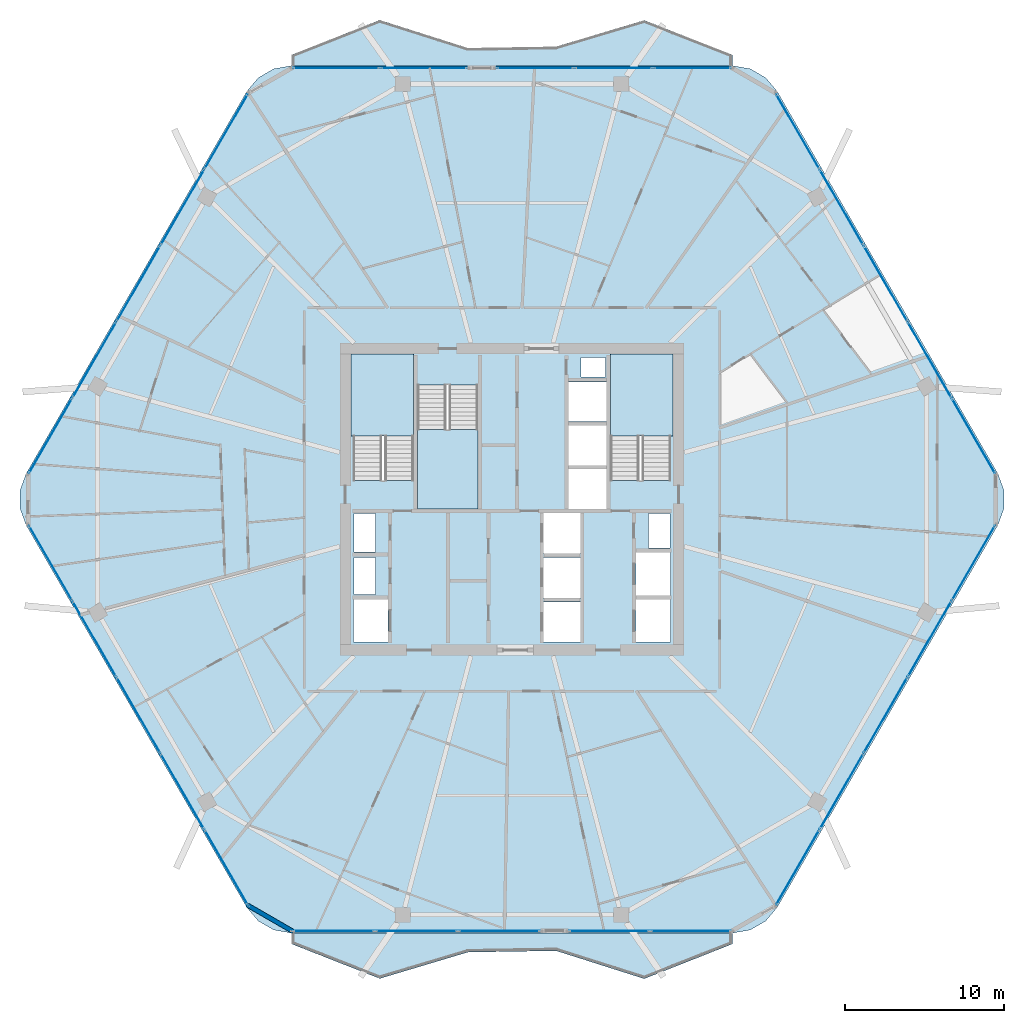
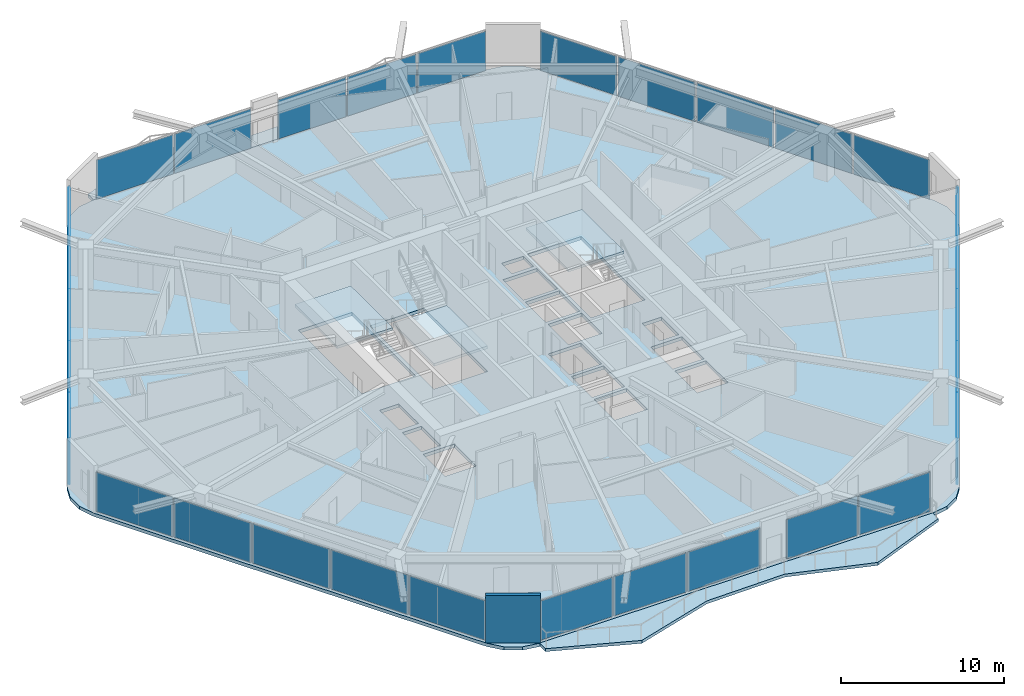
# One storey, part 18 of 27: 30 plates, 6 slabs, 1 wall, 11 elements without a shape of their own.
"""IFC4 building model written with IfcOpenShell, lengths in metres."""

from ifc_helpers import new_model, si_unit, direction, frame, frame_2d, origin, origin_2d, place, context, subcontext, project, spatial, polyline, rectangle, outline, extrude, material, layer, layer_set, type_object, element, aggregate, save


model = new_model("IFC4")

# Units and contexts
model_context = context("Model", 3, precision=1e-05, world=origin(), true_north=direction((0.0, 1.0)))
body_context = subcontext(model_context, "Body", "Model", "MODEL_VIEW")
ifc_project = project(units=[si_unit("LENGTHUNIT", "METRE"), si_unit("AREAUNIT", "SQUARE_METRE"), si_unit("VOLUMEUNIT", "CUBIC_METRE"), si_unit("PLANEANGLEUNIT", "RADIAN"), si_unit("MASSUNIT", "GRAM", prefix="KILO")], contexts=[model_context])

# Site, building, storey
site_placement = place(None, origin())
site = spatial("IfcSite", under=ifc_project, at=site_placement, CompositionType="ELEMENT")
building_placement = place(site_placement, origin())
building = spatial("IfcBuilding", under=site, at=building_placement, Name="Zuhravey Tower", CompositionType="ELEMENT")
storey_placement = place(building_placement, frame((0.0, 0.0, 218.800048828125)))
storey = spatial("IfcBuildingStorey", under=building, at=storey_placement, Name="L55", CompositionType="ELEMENT", Elevation=218.800048828125)

# Slabs
ifc_material_1 = material(Name="Concrete C50/60", Category="concrete")
ifc_layer_1 = layer(ifc_material_1, 0.25)
ifc_layer_set_1 = layer_set([ifc_layer_1], Name="Concrete C50/60")
slab_type_1 = type_object("IfcSlabType", Name="Residential Acoustic Slab 250", PredefinedType="FLOOR", material=ifc_layer_set_1)
slab_1_placement = place(storey_placement, frame((0.0, 0.0, -0.25)))
element("IfcSlab", 1, at=slab_1_placement, inside=storey, type_object=slab_type_1, Name="L55 Floor Slab FS25", PredefinedType="FLOOR", context=body_context, shape_type="SweptSolid", body=[
    extrude(outline(polyline([(66.61181640625, 30.375), (66.997802734375, 31.435546875), (66.997802734375, 32.564453125), (66.61181640625, 33.625), (52.713134765625, 57.697998046875), (51.98779296875, 58.562744140625), (51.01025390625, 59.127197265625), (49.898681640625, 59.322998046875), (22.101318359375, 59.322998046875), (20.98974609375, 59.127197265625), (20.01220703125, 58.562744140625), (19.286865234375, 57.697998046875), (5.38818359375, 33.625), (5.002197265625, 32.564453125), (5.002197265625, 31.435546875), (5.38818359375, 30.375), (19.286865234375, 6.302001953125), (20.01220703125, 5.437255859375), (20.98974609375, 4.872802734375), (22.101318359375, 4.677001953125), (49.898681640625, 4.677001953125), (51.01025390625, 4.872802734375), (51.98779296875, 5.437255859375), (52.713134765625, 6.302001953125), (66.61181640625, 30.375)]), holes=[polyline([(29.800048828125, 33.20068359375), (29.800048828125, 41.0), (26.0, 41.0), (26.0, 33.20068359375), (29.800048828125, 33.20068359375)]), polyline([(46.0, 33.20068359375), (46.0, 41.0), (42.199951171875, 41.0), (42.199951171875, 33.20068359375), (46.0, 33.20068359375)]), polyline([(30.050048828125, 39.199462890625), (30.050048828125, 31.39990234375), (33.85009765625, 31.39990234375), (33.85009765625, 39.199462890625), (30.050048828125, 39.199462890625)]), polyline([(38.0, 23.0), (40.300048828125, 23.0), (40.300048828125, 25.550048828125), (38.0, 25.550048828125), (38.0, 23.0)]), polyline([(38.0, 25.800048828125), (40.300048828125, 25.800048828125), (40.300048828125, 28.35009765625), (38.0, 28.35009765625), (38.0, 25.800048828125)]), polyline([(38.0, 28.60009765625), (40.300048828125, 28.60009765625), (40.300048828125, 31.14990234375), (38.0, 31.14990234375), (38.0, 28.60009765625)]), polyline([(39.550048828125, 31.39990234375), (41.949951171875, 31.39990234375), (41.949951171875, 33.89990234375), (39.550048828125, 33.89990234375), (39.550048828125, 31.39990234375)]), polyline([(39.550048828125, 34.14990234375), (41.949951171875, 34.14990234375), (41.949951171875, 36.64990234375), (39.550048828125, 36.64990234375), (39.550048828125, 34.14990234375)]), polyline([(39.550048828125, 36.89990234375), (41.949951171875, 36.89990234375), (41.949951171875, 39.39990234375), (39.550048828125, 39.39990234375), (39.550048828125, 36.89990234375)]), polyline([(26.0, 23.0), (28.199951171875, 23.0), (28.199951171875, 25.699951171875), (26.0, 25.699951171875), (26.0, 23.0)]), polyline([(43.800048828125, 23.0), (46.0, 23.0), (46.0, 25.699951171875), (43.800048828125, 25.699951171875), (43.800048828125, 23.0)]), polyline([(43.800048828125, 25.949951171875), (46.0, 25.949951171875), (46.0, 28.64990234375), (43.800048828125, 28.64990234375), (43.800048828125, 25.949951171875)]), polyline([(26.050048828125, 26.0), (27.39990234375, 26.0), (27.39990234375, 28.35009765625), (26.050048828125, 28.35009765625), (26.050048828125, 26.0)]), polyline([(26.050048828125, 28.699951171875), (27.39990234375, 28.699951171875), (27.39990234375, 31.10009765625), (26.050048828125, 31.10009765625), (26.050048828125, 28.699951171875)]), polyline([(44.60009765625, 28.949951171875), (45.949951171875, 28.949951171875), (45.949951171875, 31.10009765625), (44.60009765625, 31.10009765625), (44.60009765625, 28.949951171875)]), polyline([(40.35009765625, 39.699951171875), (41.89990234375, 39.699951171875), (41.89990234375, 40.949951171875), (40.35009765625, 40.949951171875), (40.35009765625, 39.699951171875)])]), origin(), (0.0, 0.0, 1.0), 0.25),
])
ifc_material_2 = material(Name="Concrete C40/50", Category="concrete")
ifc_layer_2 = layer(ifc_material_2, 0.219970703125)
ifc_layer_set_2 = layer_set([ifc_layer_2], Name="Concrete C40/50")
slab_type_2 = type_object("IfcSlabType", Name="Sinusoidal Residential Wave Balcony 220", PredefinedType="FLOOR", material=ifc_layer_set_2)
slab_2_placement = place(storey_placement, frame((0.0, 0.0, -0.219970703125)))
element("IfcSlab", 2, at=slab_2_placement, inside=storey, type_object=slab_type_2, Name="L55 Face 2 Wave Balcony WB22", PredefinedType="FLOOR", context=body_context, shape_type="SweptSolid", body=[
    extrude(outline(polyline([(49.889892578125, 59.30810546875), (22.110107421875, 59.30810546875), (22.110107421875, 60.008056640625), (27.666015625, 62.20361328125), (33.221923828125, 60.438720703125), (38.778076171875, 60.529052734375), (44.333984375, 62.190185546875), (49.889892578125, 60.008056640625), (49.889892578125, 59.30810546875)])), origin(), (0.0, 0.0, 1.0), 0.219970703125),
])
slab_3_placement = place(storey_placement, frame((0.0, 0.0, -0.219970703125)))
element("IfcSlab", 3, at=slab_3_placement, inside=storey, type_object=slab_type_2, Name="L55 Face 5 Wave Balcony WB22", PredefinedType="FLOOR", context=body_context, shape_type="SweptSolid", body=[
    extrude(outline(polyline([(22.110107421875, 4.69189453125), (49.889892578125, 4.69189453125), (49.889892578125, 3.991943359375), (44.333984375, 1.79638671875), (38.778076171875, 3.561279296875), (33.221923828125, 3.470947265625), (27.666015625, 1.809814453125), (22.110107421875, 3.991943359375), (22.110107421875, 4.69189453125)])), origin(), (0.0, 0.0, 1.0), 0.219970703125),
])

# Stair, slab
stair_type = type_object("IfcStairType", Name="Housing Storey Stair Assembly 3800", PredefinedType="HALF_TURN_STAIR", material=ifc_material_2)
stair_1_placement = place(storey_placement, origin())
stair_1 = element("IfcStair", 4, at=stair_1_placement, inside=storey, type_object=stair_type, Name="L55 Core Exit Stair ST1", PredefinedType="HALF_TURN_STAIR")
ifc_layer_3 = layer(ifc_material_2, 0.199951171875)
ifc_layer_set_3 = layer_set([ifc_layer_3], Name="Concrete C40/50")
slab_type_3 = type_object("IfcSlabType", Name="Stair Landing Slab 200", PredefinedType="LANDING", material=ifc_layer_set_3)
slab_4_placement = place(storey_placement, frame((0.0, 0.0, 1.699951171875)))
slab_4 = element("IfcSlab", 5, at=slab_4_placement, type_object=slab_type_3, Name="ST1 landing 1", PredefinedType="LANDING", context=body_context, shape_type="SweptSolid", body=[
    extrude(outline(polyline([(29.800048828125, 36.0), (29.800048828125, 41.14794921875), (25.85205078125, 41.14794921875), (25.85205078125, 36.0), (29.800048828125, 36.0)])), origin(), (0.0, 0.0, 1.0), 0.199951171875),
])
aggregate(stair_1, [slab_4])

stair_2_placement = place(storey_placement, origin())
stair_2 = element("IfcStair", 6, at=stair_2_placement, inside=storey, type_object=stair_type, Name="L55 Core Exit Stair ST2", PredefinedType="HALF_TURN_STAIR")
slab_5_placement = place(storey_placement, frame((0.0, 0.0, 1.699951171875)))
slab_5 = element("IfcSlab", 7, at=slab_5_placement, type_object=slab_type_3, Name="ST2 landing 1", PredefinedType="LANDING", context=body_context, shape_type="SweptSolid", body=[
    extrude(outline(polyline([(46.14794921875, 36.0), (46.14794921875, 41.14794921875), (42.199951171875, 41.14794921875), (42.199951171875, 36.0), (46.14794921875, 36.0)])), origin(), (0.0, 0.0, 1.0), 0.199951171875),
])
aggregate(stair_2, [slab_5])

stair_3_placement = place(storey_placement, origin())
stair_3 = element("IfcStair", 8, at=stair_3_placement, inside=storey, type_object=stair_type, Name="L55 Core Exit Stair ST3", PredefinedType="HALF_TURN_STAIR")
slab_6_placement = place(storey_placement, frame((0.0, 0.0, 1.699951171875)))
slab_6 = element("IfcSlab", 9, at=slab_6_placement, type_object=slab_type_3, Name="ST3 landing 1", PredefinedType="LANDING", context=body_context, shape_type="SweptSolid", body=[
    extrude(outline(polyline([(30.050048828125, 36.39990234375), (30.050048828125, 31.39990234375), (33.85009765625, 31.39990234375), (33.85009765625, 36.39990234375), (30.050048828125, 36.39990234375)])), origin(), (0.0, 0.0, 1.0), 0.199951171875),
])
aggregate(stair_3, [slab_6])

# Curtain wall, plates
ifc_material_3 = material(Name="Thermally broken anodised aluminium", Category="aluminium")
curtain_wall_type = type_object("IfcCurtainWallType", Name="Zone 1-2 Residential Curtain Wall CW3", PredefinedType="NOTDEFINED", material=ifc_material_3)
curtain_wall_1_placement = place(storey_placement, origin())
curtain_wall_1 = element("IfcCurtainWall", 10, at=curtain_wall_1_placement, inside=storey, type_object=curtain_wall_type, Name="L55 CW3 CW-L55-F6-1", PredefinedType="NOTDEFINED")
ifc_material_4 = material(Name="Triple low-E insulated vision glass", Category="glass")
ifc_layer_4 = layer(ifc_material_4, 0.0419921875)
ifc_layer_set_4 = layer_set([ifc_layer_4], Name="Triple low-E insulated vision glass")
plate_type = type_object("IfcPlateType", Name="Triple Low-E Vision Panel", PredefinedType="CURTAIN_PANEL", material=ifc_layer_set_4)
plate_1_placement = place(storey_placement, frame((65.074462890625, 27.9921875, 0.090087890625), z_axis=(0.0, 0.0, 1.0), x_axis=(-0.500000459979, -0.866025138215, 0.0)))
plate_1 = element("IfcPlate", 11, at=plate_1_placement, type_object=plate_type, Name="CW3 panel 1.1", PredefinedType="CURTAIN_PANEL", context=body_context, shape_type="SweptSolid", body=[
    extrude(rectangle(XDim=5.409423828125, YDim=0.0419921875, at=origin_2d()), origin(), (0.0, 0.0, 1.0), 2.94189453125),
])
plate_2_placement = place(storey_placement, frame((62.3134765625, 23.2099609375, 0.090087890625), z_axis=(0.0, 0.0, 1.0), x_axis=(-0.500000459979, -0.866025138215, 0.0)))
plate_2 = element("IfcPlate", 12, at=plate_2_placement, type_object=plate_type, Name="CW3 panel 2.1", PredefinedType="CURTAIN_PANEL", context=body_context, shape_type="SweptSolid", body=[
    extrude(rectangle(XDim=5.454345703125, YDim=0.0419921875, at=origin_2d()), origin(), (0.0, 0.0, 1.0), 2.94189453125),
])
plate_3_placement = place(storey_placement, frame((59.541259765625, 18.408447265625, 0.090087890625), z_axis=(0.0, 0.0, 1.0), x_axis=(-0.500000459979, -0.866025138215, 0.0)))
plate_3 = element("IfcPlate", 13, at=plate_3_placement, type_object=plate_type, Name="CW3 panel 3.1", PredefinedType="CURTAIN_PANEL", context=body_context, shape_type="SweptSolid", body=[
    extrude(rectangle(XDim=5.454345703125, YDim=0.0419921875, at=origin_2d()), origin(), (0.0, 0.0, 1.0), 2.94189453125),
])
plate_4_placement = place(storey_placement, frame((56.76904296875, 13.60693359375, 0.090087890625), z_axis=(0.0, 0.0, 1.0), x_axis=(-0.500000459979, -0.866025138215, 0.0)))
plate_4 = element("IfcPlate", 14, at=plate_4_placement, type_object=plate_type, Name="CW3 panel 4.1", PredefinedType="CURTAIN_PANEL", context=body_context, shape_type="SweptSolid", body=[
    extrude(rectangle(XDim=5.454345703125, YDim=0.0419921875, at=origin_2d()), origin(), (0.0, 0.0, 1.0), 2.94189453125),
])
plate_5_placement = place(storey_placement, frame((54.008056640625, 8.82470703125, 0.090087890625), z_axis=(0.0, 0.0, 1.0), x_axis=(-0.500000459979, -0.866025138215, 0.0)))
plate_5 = element("IfcPlate", 15, at=plate_5_placement, type_object=plate_type, Name="CW3 panel 5.1", PredefinedType="CURTAIN_PANEL", context=body_context, shape_type="SweptSolid", body=[
    extrude(rectangle(XDim=5.409423828125, YDim=0.0419921875, at=origin_2d()), origin(), (0.0, 0.0, 1.0), 2.94189453125),
])
aggregate(curtain_wall_1, [plate_1, plate_2, plate_3, plate_4, plate_5])

curtain_wall_2_placement = place(storey_placement, origin())
curtain_wall_2 = element("IfcCurtainWall", 16, at=curtain_wall_2_placement, inside=storey, type_object=curtain_wall_type, Name="L55 CW3 CW-L55-F5-1", PredefinedType="NOTDEFINED")
plate_6_placement = place(storey_placement, frame((47.25537109375, 4.81689453125, 0.090087890625), z_axis=(0.0, 0.0, 1.0), x_axis=(-1.0, 0.0, 0.0)))
plate_6 = element("IfcPlate", 17, at=plate_6_placement, type_object=plate_type, Name="CW3 panel 1.1", PredefinedType="CURTAIN_PANEL", context=body_context, shape_type="SweptSolid", body=[
    extrude(rectangle(XDim=5.03125, YDim=0.0419921875, at=origin_2d()), origin(), (0.0, 0.0, 1.0), 2.94189453125),
])
plate_7_placement = place(storey_placement, frame((42.13427734375, 4.81689453125, 0.090087890625), z_axis=(0.0, 0.0, 1.0), x_axis=(-1.0, 0.0, 0.0)))
plate_7 = element("IfcPlate", 18, at=plate_7_placement, type_object=plate_type, Name="CW3 panel 2.1", PredefinedType="CURTAIN_PANEL", context=body_context, shape_type="SweptSolid", body=[
    extrude(rectangle(XDim=5.03125, YDim=0.0419921875, at=origin_2d()), origin(), (0.0, 0.0, 1.0), 2.94189453125),
])
aggregate(curtain_wall_2, [plate_6, plate_7])

curtain_wall_3_placement = place(storey_placement, origin())
curtain_wall_3 = element("IfcCurtainWall", 19, at=curtain_wall_3_placement, inside=storey, type_object=curtain_wall_type, Name="L55 CW3 CW-L55-F5-2", PredefinedType="NOTDEFINED")
plate_8_placement = place(storey_placement, frame((35.191162109375, 4.81689453125, 0.090087890625), z_axis=(0.0, 0.0, 1.0), x_axis=(-1.0, 0.0, 0.0)))
plate_8 = element("IfcPlate", 20, at=plate_8_placement, type_object=plate_type, Name="CW3 panel 1.1", PredefinedType="CURTAIN_PANEL", context=body_context, shape_type="SweptSolid", body=[
    extrude(rectangle(XDim=5.094970703125, YDim=0.0419921875, at=origin_2d()), origin(), (0.0, 0.0, 1.0), 2.94189453125),
])
plate_9_placement = place(storey_placement, frame((29.983642578125, 4.81689453125, 0.090087890625), z_axis=(0.0, 0.0, 1.0), x_axis=(-1.0, 0.0, 0.0)))
plate_9 = element("IfcPlate", 21, at=plate_9_placement, type_object=plate_type, Name="CW3 panel 2.1", PredefinedType="CURTAIN_PANEL", context=body_context, shape_type="SweptSolid", body=[
    extrude(rectangle(XDim=5.139892578125, YDim=0.0419921875, at=origin_2d()), origin(), (0.0, 0.0, 1.0), 2.94189453125),
])
plate_10_placement = place(storey_placement, frame((24.7763671875, 4.81689453125, 0.090087890625), z_axis=(0.0, 0.0, 1.0), x_axis=(-1.0, 0.0, 0.0)))
plate_10 = element("IfcPlate", 22, at=plate_10_placement, type_object=plate_type, Name="CW3 panel 3.1", PredefinedType="CURTAIN_PANEL", context=body_context, shape_type="SweptSolid", body=[
    extrude(rectangle(XDim=5.094970703125, YDim=0.0419921875, at=origin_2d()), origin(), (0.0, 0.0, 1.0), 2.94189453125),
])
aggregate(curtain_wall_3, [plate_8, plate_9, plate_10])

curtain_wall_4_placement = place(storey_placement, origin())
curtain_wall_4 = element("IfcCurtainWall", 23, at=curtain_wall_4_placement, inside=storey, type_object=curtain_wall_type, Name="L55 CW3 CW-L55-F4-1", PredefinedType="NOTDEFINED")
plate_11_placement = place(storey_placement, frame((17.991943359375, 8.82470703125, 0.090087890625), z_axis=(0.0, 0.0, 1.0), x_axis=(-0.500000459979, 0.866025138215, 0.0)))
plate_11 = element("IfcPlate", 24, at=plate_11_placement, type_object=plate_type, Name="CW3 panel 1.1", PredefinedType="CURTAIN_PANEL", context=body_context, shape_type="SweptSolid", body=[
    extrude(rectangle(XDim=5.409423828125, YDim=0.0419921875, at=origin_2d()), origin(), (0.0, 0.0, 1.0), 2.94189453125),
])
plate_12_placement = place(storey_placement, frame((15.23095703125, 13.60693359375, 0.090087890625), z_axis=(0.0, 0.0, 1.0), x_axis=(-0.500000459979, 0.866025138215, 0.0)))
plate_12 = element("IfcPlate", 25, at=plate_12_placement, type_object=plate_type, Name="CW3 panel 2.1", PredefinedType="CURTAIN_PANEL", context=body_context, shape_type="SweptSolid", body=[
    extrude(rectangle(XDim=5.454345703125, YDim=0.0419921875, at=origin_2d()), origin(), (0.0, 0.0, 1.0), 2.94189453125),
])
plate_13_placement = place(storey_placement, frame((12.458740234375, 18.408447265625, 0.090087890625), z_axis=(0.0, 0.0, 1.0), x_axis=(-0.500000459979, 0.866025138215, 0.0)))
plate_13 = element("IfcPlate", 26, at=plate_13_placement, type_object=plate_type, Name="CW3 panel 3.1", PredefinedType="CURTAIN_PANEL", context=body_context, shape_type="SweptSolid", body=[
    extrude(rectangle(XDim=5.454345703125, YDim=0.0419921875, at=origin_2d()), origin(), (0.0, 0.0, 1.0), 2.94189453125),
])
plate_14_placement = place(storey_placement, frame((9.6865234375, 23.2099609375, 0.090087890625), z_axis=(0.0, 0.0, 1.0), x_axis=(-0.500000459979, 0.866025138215, 0.0)))
plate_14 = element("IfcPlate", 27, at=plate_14_placement, type_object=plate_type, Name="CW3 panel 4.1", PredefinedType="CURTAIN_PANEL", context=body_context, shape_type="SweptSolid", body=[
    extrude(rectangle(XDim=5.454345703125, YDim=0.0419921875, at=origin_2d()), origin(), (0.0, 0.0, 1.0), 2.94189453125),
])
plate_15_placement = place(storey_placement, frame((6.925537109375, 27.9921875, 0.090087890625), z_axis=(0.0, 0.0, 1.0), x_axis=(-0.500000459979, 0.866025138215, 0.0)))
plate_15 = element("IfcPlate", 28, at=plate_15_placement, type_object=plate_type, Name="CW3 panel 5.1", PredefinedType="CURTAIN_PANEL", context=body_context, shape_type="SweptSolid", body=[
    extrude(rectangle(XDim=5.409423828125, YDim=0.0419921875, at=origin_2d()), origin(), (0.0, 0.0, 1.0), 2.94189453125),
])
aggregate(curtain_wall_4, [plate_11, plate_12, plate_13, plate_14, plate_15])

curtain_wall_5_placement = place(storey_placement, origin())
curtain_wall_5 = element("IfcCurtainWall", 29, at=curtain_wall_5_placement, inside=storey, type_object=curtain_wall_type, Name="L55 CW3 CW-L55-F3-1", PredefinedType="NOTDEFINED")
plate_16_placement = place(storey_placement, frame((6.925537109375, 36.0078125, 0.090087890625), z_axis=(0.0, 0.0, 1.0), x_axis=(0.500000459979, 0.866025138215, 0.0)))
plate_16 = element("IfcPlate", 30, at=plate_16_placement, type_object=plate_type, Name="CW3 panel 1.1", PredefinedType="CURTAIN_PANEL", context=body_context, shape_type="SweptSolid", body=[
    extrude(rectangle(XDim=5.409423828125, YDim=0.0419921875, at=origin_2d()), origin(), (0.0, 0.0, 1.0), 2.94189453125),
])
plate_17_placement = place(storey_placement, frame((9.6865234375, 40.7900390625, 0.090087890625), z_axis=(0.0, 0.0, 1.0), x_axis=(0.500000459979, 0.866025138215, 0.0)))
plate_17 = element("IfcPlate", 31, at=plate_17_placement, type_object=plate_type, Name="CW3 panel 2.1", PredefinedType="CURTAIN_PANEL", context=body_context, shape_type="SweptSolid", body=[
    extrude(rectangle(XDim=5.454345703125, YDim=0.0419921875, at=origin_2d()), origin(), (0.0, 0.0, 1.0), 2.94189453125),
])
plate_18_placement = place(storey_placement, frame((12.458740234375, 45.591552734375, 0.090087890625), z_axis=(0.0, 0.0, 1.0), x_axis=(0.500000459979, 0.866025138215, 0.0)))
plate_18 = element("IfcPlate", 32, at=plate_18_placement, type_object=plate_type, Name="CW3 panel 3.1", PredefinedType="CURTAIN_PANEL", context=body_context, shape_type="SweptSolid", body=[
    extrude(rectangle(XDim=5.454345703125, YDim=0.0419921875, at=origin_2d()), origin(), (0.0, 0.0, 1.0), 2.94189453125),
])
plate_19_placement = place(storey_placement, frame((15.23095703125, 50.39306640625, 0.090087890625), z_axis=(0.0, 0.0, 1.0), x_axis=(0.500000459979, 0.866025138215, 0.0)))
plate_19 = element("IfcPlate", 33, at=plate_19_placement, type_object=plate_type, Name="CW3 panel 4.1", PredefinedType="CURTAIN_PANEL", context=body_context, shape_type="SweptSolid", body=[
    extrude(rectangle(XDim=5.454345703125, YDim=0.0419921875, at=origin_2d()), origin(), (0.0, 0.0, 1.0), 2.94189453125),
])
plate_20_placement = place(storey_placement, frame((17.991943359375, 55.17529296875, 0.090087890625), z_axis=(0.0, 0.0, 1.0), x_axis=(0.500000459979, 0.866025138215, 0.0)))
plate_20 = element("IfcPlate", 34, at=plate_20_placement, type_object=plate_type, Name="CW3 panel 5.1", PredefinedType="CURTAIN_PANEL", context=body_context, shape_type="SweptSolid", body=[
    extrude(rectangle(XDim=5.409423828125, YDim=0.0419921875, at=origin_2d()), origin(), (0.0, 0.0, 1.0), 2.94189453125),
])
aggregate(curtain_wall_5, [plate_16, plate_17, plate_18, plate_19, plate_20])

curtain_wall_6_placement = place(storey_placement, origin())
curtain_wall_6 = element("IfcCurtainWall", 35, at=curtain_wall_6_placement, inside=storey, type_object=curtain_wall_type, Name="L55 CW3 CW-L55-F2-1", PredefinedType="NOTDEFINED")
plate_21_placement = place(storey_placement, frame((24.939697265625, 59.18310546875, 0.090087890625), z_axis=(0.0, 0.0, 1.0), x_axis=(1.0, 0.0, 0.0)))
plate_21 = element("IfcPlate", 36, at=plate_21_placement, type_object=plate_type, Name="CW3 panel 1.1", PredefinedType="CURTAIN_PANEL", context=body_context, shape_type="SweptSolid", body=[
    extrude(rectangle(XDim=5.421630859375, YDim=0.0419921875, at=origin_2d()), origin(), (0.0, 0.0, 1.0), 2.94189453125),
])
plate_22_placement = place(storey_placement, frame((30.451171875, 59.18310546875, 0.090087890625), z_axis=(0.0, 0.0, 1.0), x_axis=(1.0, 0.0, 0.0)))
plate_22 = element("IfcPlate", 37, at=plate_22_placement, type_object=plate_type, Name="CW3 panel 2.1", PredefinedType="CURTAIN_PANEL", context=body_context, shape_type="SweptSolid", body=[
    extrude(rectangle(XDim=5.421630859375, YDim=0.0419921875, at=origin_2d()), origin(), (0.0, 0.0, 1.0), 2.94189453125),
])
aggregate(curtain_wall_6, [plate_21, plate_22])

curtain_wall_7_placement = place(storey_placement, origin())
curtain_wall_7 = element("IfcCurtainWall", 38, at=curtain_wall_7_placement, inside=storey, type_object=curtain_wall_type, Name="L55 CW3 CW-L55-F2-2", PredefinedType="NOTDEFINED")
plate_23_placement = place(storey_placement, frame((37.459228515625, 59.18310546875, 0.090087890625), z_axis=(0.0, 0.0, 1.0), x_axis=(1.0, 0.0, 0.0)))
plate_23 = element("IfcPlate", 39, at=plate_23_placement, type_object=plate_type, Name="CW3 panel 1.1", PredefinedType="CURTAIN_PANEL", context=body_context, shape_type="SweptSolid", body=[
    extrude(rectangle(XDim=4.834716796875, YDim=0.0419921875, at=origin_2d()), origin(), (0.0, 0.0, 1.0), 2.94189453125),
])
plate_24_placement = place(storey_placement, frame((42.406494140625, 59.18310546875, 0.090087890625), z_axis=(0.0, 0.0, 1.0), x_axis=(1.0, 0.0, 0.0)))
plate_24 = element("IfcPlate", 40, at=plate_24_placement, type_object=plate_type, Name="CW3 panel 2.1", PredefinedType="CURTAIN_PANEL", context=body_context, shape_type="SweptSolid", body=[
    extrude(rectangle(XDim=4.879638671875, YDim=0.0419921875, at=origin_2d()), origin(), (0.0, 0.0, 1.0), 2.94189453125),
])
plate_25_placement = place(storey_placement, frame((47.353759765625, 59.18310546875, 0.090087890625), z_axis=(0.0, 0.0, 1.0), x_axis=(1.0, 0.0, 0.0)))
plate_25 = element("IfcPlate", 41, at=plate_25_placement, type_object=plate_type, Name="CW3 panel 3.1", PredefinedType="CURTAIN_PANEL", context=body_context, shape_type="SweptSolid", body=[
    extrude(rectangle(XDim=4.834716796875, YDim=0.0419921875, at=origin_2d()), origin(), (0.0, 0.0, 1.0), 2.94189453125),
])
aggregate(curtain_wall_7, [plate_23, plate_24, plate_25])

curtain_wall_8_placement = place(storey_placement, origin())
curtain_wall_8 = element("IfcCurtainWall", 42, at=curtain_wall_8_placement, inside=storey, type_object=curtain_wall_type, Name="L55 CW3 CW-L55-F1-1", PredefinedType="NOTDEFINED")
plate_26_placement = place(storey_placement, frame((54.008056640625, 55.17529296875, 0.090087890625), z_axis=(0.0, 0.0, 1.0), x_axis=(0.500000459979, -0.866025138215, 0.0)))
plate_26 = element("IfcPlate", 43, at=plate_26_placement, type_object=plate_type, Name="CW3 panel 1.1", PredefinedType="CURTAIN_PANEL", context=body_context, shape_type="SweptSolid", body=[
    extrude(rectangle(XDim=5.409423828125, YDim=0.0419921875, at=origin_2d()), origin(), (0.0, 0.0, 1.0), 2.94189453125),
])
plate_27_placement = place(storey_placement, frame((56.76904296875, 50.39306640625, 0.090087890625), z_axis=(0.0, 0.0, 1.0), x_axis=(0.500000459979, -0.866025138215, 0.0)))
plate_27 = element("IfcPlate", 44, at=plate_27_placement, type_object=plate_type, Name="CW3 panel 2.1", PredefinedType="CURTAIN_PANEL", context=body_context, shape_type="SweptSolid", body=[
    extrude(rectangle(XDim=5.454345703125, YDim=0.0419921875, at=origin_2d()), origin(), (0.0, 0.0, 1.0), 2.94189453125),
])
plate_28_placement = place(storey_placement, frame((59.541259765625, 45.591552734375, 0.090087890625), z_axis=(0.0, 0.0, 1.0), x_axis=(0.500000459979, -0.866025138215, 0.0)))
plate_28 = element("IfcPlate", 45, at=plate_28_placement, type_object=plate_type, Name="CW3 panel 3.1", PredefinedType="CURTAIN_PANEL", context=body_context, shape_type="SweptSolid", body=[
    extrude(rectangle(XDim=5.454345703125, YDim=0.0419921875, at=origin_2d()), origin(), (0.0, 0.0, 1.0), 2.94189453125),
])
plate_29_placement = place(storey_placement, frame((62.3134765625, 40.7900390625, 0.090087890625), z_axis=(0.0, 0.0, 1.0), x_axis=(0.500000459979, -0.866025138215, 0.0)))
plate_29 = element("IfcPlate", 46, at=plate_29_placement, type_object=plate_type, Name="CW3 panel 4.1", PredefinedType="CURTAIN_PANEL", context=body_context, shape_type="SweptSolid", body=[
    extrude(rectangle(XDim=5.454345703125, YDim=0.0419921875, at=origin_2d()), origin(), (0.0, 0.0, 1.0), 2.94189453125),
])
plate_30_placement = place(storey_placement, frame((65.074462890625, 36.0078125, 0.090087890625), z_axis=(0.0, 0.0, 1.0), x_axis=(0.500000459979, -0.866025138215, 0.0)))
plate_30 = element("IfcPlate", 47, at=plate_30_placement, type_object=plate_type, Name="CW3 panel 5.1", PredefinedType="CURTAIN_PANEL", context=body_context, shape_type="SweptSolid", body=[
    extrude(rectangle(XDim=5.409423828125, YDim=0.0419921875, at=origin_2d()), origin(), (0.0, 0.0, 1.0), 2.94189453125),
])
aggregate(curtain_wall_8, [plate_26, plate_27, plate_28, plate_29, plate_30])

# Wall
ifc_material_5 = material(Name="Precast concrete C40/50", Category="concrete")
ifc_layer_5 = layer(ifc_material_5, 0.280029296875)
ifc_layer_set_5 = layer_set([ifc_layer_5], Name="Precast concrete C40/50")
wall_type = type_object("IfcWallType", Name="Crown Architectural Wall 280", PredefinedType="SOLIDWALL", material=ifc_layer_set_5)
wall_placement = place(storey_placement, frame((22.22119140625, 4.769287109375, 0.0), z_axis=(0.0, 0.0, 1.0), x_axis=(-0.866020068361, 0.500009241111, 0.0)))
element("IfcWall", 48, at=wall_placement, inside=storey, type_object=wall_type, Name="L55 Rounded Corner Closure Wall EW28-04", PredefinedType="SOLIDWALL", context=body_context, shape_type="SweptSolid", body=[
    extrude(rectangle(XDim=3.365234375, YDim=0.280029296875, at=frame_2d((1.6826171875, 0.0))), origin(), (0.0, 0.0, 1.0), 3.550048828125),
])

save(model, "model.ifc")
